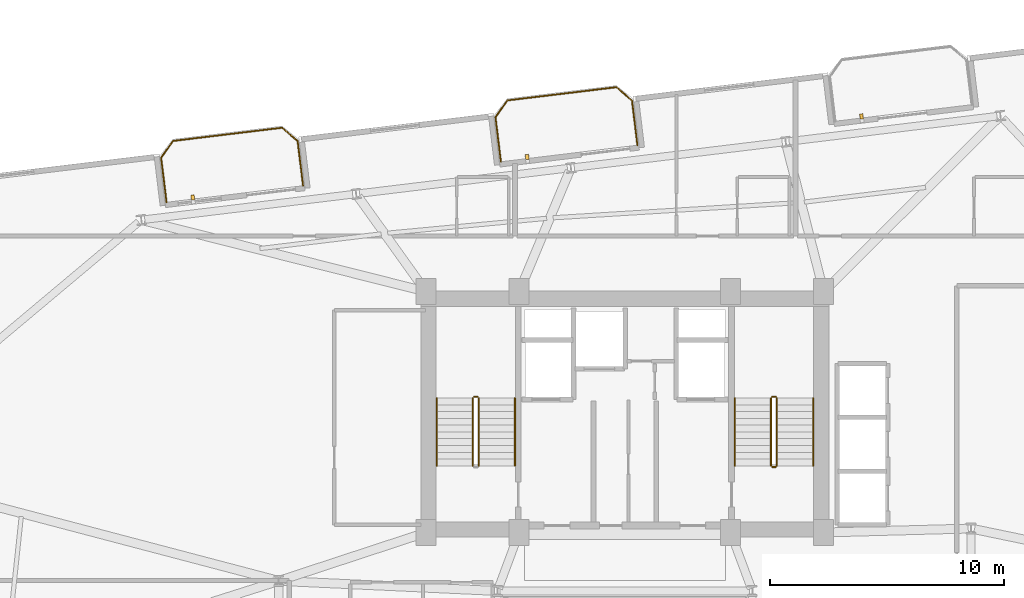
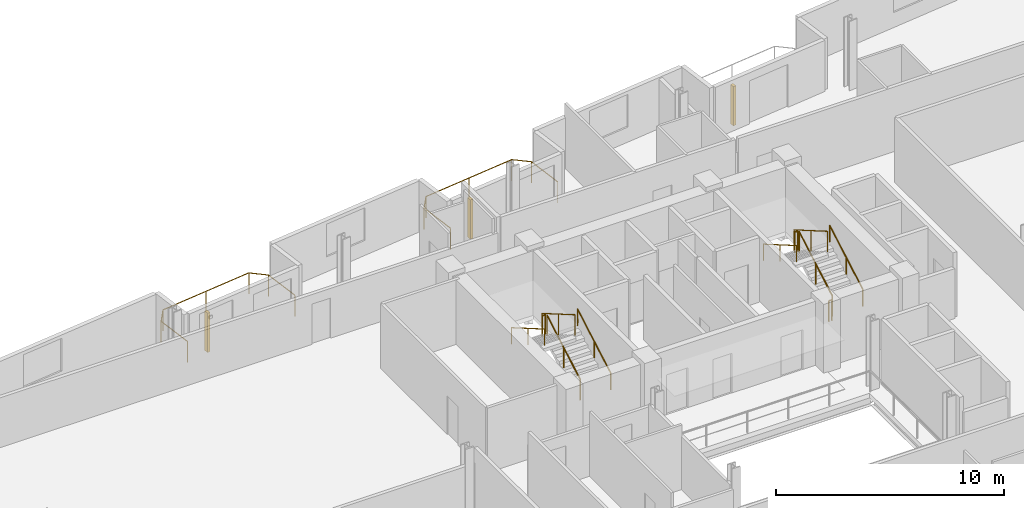
# One storey, part 22 of 23: 13 railings, 3 shading devices.
"""IFC4 building model written with IfcOpenShell, lengths in metres."""

from ifc_helpers import new_model, si_unit, direction, frame, origin, origin_2d, place, context, subcontext, project, spatial, rectangle, circle, extrude, source, transform, mapped, material, type_object, element, save


model = new_model("IFC4")

# Units and contexts
model_context = context("Model", 3, precision=1e-05, world=origin(), true_north=direction((0.0, 1.0)))
body_context = subcontext(model_context, "Body", "Model", "MODEL_VIEW")
ifc_project = project(units=[si_unit("LENGTHUNIT", "METRE"), si_unit("AREAUNIT", "SQUARE_METRE"), si_unit("VOLUMEUNIT", "CUBIC_METRE"), si_unit("PLANEANGLEUNIT", "RADIAN"), si_unit("MASSUNIT", "GRAM", prefix="KILO")], contexts=[model_context])

# Site, building, storey
site_placement = place(None, origin())
site = spatial("IfcSite", under=ifc_project, at=site_placement, CompositionType="ELEMENT")
building_placement = place(site_placement, origin())
building = spatial("IfcBuilding", under=site, at=building_placement, Name="Varnelok Gate Tower", CompositionType="ELEMENT")
storey_placement = place(building_placement, frame((0.0, 0.0, 170.89990234375)))
storey = spatial("IfcBuildingStorey", under=building, at=storey_placement, Name="L43", CompositionType="ELEMENT", Elevation=170.89990234375)

# Railings
ifc_material_1 = material(Name="Low-E Laminated Double Glazing IGU", Category="glass")
railing_type_1 = type_object("IfcRailingType", Name="RL-BALC-1150", PredefinedType="BALUSTRADE", material=ifc_material_1)
railing_1_placement = place(storey_placement, frame((19.603271484375, 42.869384765625, 0.0)))
element("IfcRailing", 1, at=railing_1_placement, inside=storey, type_object=railing_type_1, Name="L43 North Terrace Balustrade 4", PredefinedType="BALUSTRADE", context=body_context, shape_type="SweptSolid", body=[
    extrude(circle(Radius=0.02392578125, at=origin_2d()), frame((0.0, 0.0, 1.1259765625), z_axis=(-0.120418709125, 0.992723191274, 0.0), x_axis=(-0.992723191274, -0.120418709125, 0.0)), (0.0, 0.0, 1.0), 1.919921875),
    extrude(circle(Radius=0.02392578125, at=origin_2d()), frame((-0.231201171875, 1.906005859375, 1.1259765625), z_axis=(0.57815621837, 0.815926091726, 0.0), x_axis=(-0.815926091726, 0.57815621837, 0.0)), (0.0, 0.0, 1.0), 0.8779296875),
    extrude(circle(Radius=0.02392578125, at=origin_2d()), frame((0.2763671875, 2.622314453125, 1.1259765625), z_axis=(0.992730585037, 0.120357739811, 0.0), x_axis=(-0.120357739811, 0.992730585037, 0.0)), (0.0, 0.0, 1.0), 4.699951171875),
    extrude(circle(Radius=0.02392578125, at=origin_2d()), frame((4.942138671875, 3.18798828125, 1.1259765625), z_axis=(0.756285086452, -0.654242208979, 0.0), x_axis=(0.654242208979, 0.756285086452, 0.0)), (0.0, 0.0, 1.0), 0.878173828125),
    extrude(circle(Radius=0.02392578125, at=origin_2d()), frame((5.606201171875, 2.613525390625, 1.1259765625), z_axis=(0.120293392036, -0.992738384386, 0.0), x_axis=(0.992738384386, 0.120293392036, 0.0)), (0.0, 0.0, 1.0), 1.919921875),
    extrude(circle(Radius=0.02099609375, at=origin_2d()), origin(), (0.0, 0.0, 1.0), 1.101806640625),
    extrude(circle(Radius=0.02099609375, at=origin_2d()), frame((-0.231201171875, 1.906005859375, 0.0)), (0.0, 0.0, 1.0), 1.101806640625),
    extrude(circle(Radius=0.02099609375, at=origin_2d()), frame((0.2763671875, 2.622314453125, 0.0)), (0.0, 0.0, 1.0), 1.101806640625),
    extrude(circle(Radius=0.02099609375, at=origin_2d()), frame((2.609375, 2.9052734375, 0.0)), (0.0, 0.0, 1.0), 1.101806640625),
    extrude(circle(Radius=0.02099609375, at=origin_2d()), frame((4.942138671875, 3.18798828125, 0.0)), (0.0, 0.0, 1.0), 1.101806640625),
    extrude(circle(Radius=0.02099609375, at=origin_2d()), frame((5.606201171875, 2.613525390625, 0.0)), (0.0, 0.0, 1.0), 1.101806640625),
    extrude(circle(Radius=0.02099609375, at=origin_2d()), frame((5.837158203125, 0.70751953125, 0.0)), (0.0, 0.0, 1.0), 1.101806640625),
])
railing_2_placement = place(storey_placement, frame((33.8984375, 44.602294921875, 0.0)))
element("IfcRailing", 2, at=railing_2_placement, inside=storey, type_object=railing_type_1, Name="L43 North Terrace Balustrade 5", PredefinedType="BALUSTRADE", context=body_context, shape_type="SweptSolid", body=[
    extrude(circle(Radius=0.02392578125, at=origin_2d()), frame((0.0, 0.0, 1.1259765625), z_axis=(-0.120293392036, 0.992738384386, 0.0), x_axis=(-0.992738384386, -0.120293392036, 0.0)), (0.0, 0.0, 1.0), 1.919921875),
    extrude(circle(Radius=0.02392578125, at=origin_2d()), frame((-0.23095703125, 1.906005859375, 1.1259765625), z_axis=(0.57815621837, 0.815926091726, 0.0), x_axis=(-0.815926091726, 0.57815621837, 0.0)), (0.0, 0.0, 1.0), 0.8779296875),
    extrude(circle(Radius=0.02392578125, at=origin_2d()), frame((0.276611328125, 2.622314453125, 1.1259765625), z_axis=(0.992730585037, 0.120357739811, 0.0), x_axis=(-0.120357739811, 0.992730585037, 0.0)), (0.0, 0.0, 1.0), 4.699951171875),
    extrude(circle(Radius=0.02392578125, at=origin_2d()), frame((4.9423828125, 3.18798828125, 1.1259765625), z_axis=(0.756303655992, -0.654220742513, 0.0), x_axis=(0.654220742513, 0.756303655992, 0.0)), (0.0, 0.0, 1.0), 0.877685546875),
    extrude(circle(Radius=0.02392578125, at=origin_2d()), frame((5.606201171875, 2.61376953125, 1.1259765625), z_axis=(0.12040351024, -0.992725034802, 0.0), x_axis=(0.992725034802, 0.12040351024, 0.0)), (0.0, 0.0, 1.0), 1.920166015625),
    extrude(circle(Radius=0.02099609375, at=origin_2d()), origin(), (0.0, 0.0, 1.0), 1.101806640625),
    extrude(circle(Radius=0.02099609375, at=origin_2d()), frame((-0.23095703125, 1.906005859375, 0.0)), (0.0, 0.0, 1.0), 1.101806640625),
    extrude(circle(Radius=0.02099609375, at=origin_2d()), frame((0.276611328125, 2.622314453125, 0.0)), (0.0, 0.0, 1.0), 1.101806640625),
    extrude(circle(Radius=0.02099609375, at=origin_2d()), frame((2.609375, 2.9052734375, 0.0)), (0.0, 0.0, 1.0), 1.101806640625),
    extrude(circle(Radius=0.02099609375, at=origin_2d()), frame((4.9423828125, 3.18798828125, 0.0)), (0.0, 0.0, 1.0), 1.101806640625),
    extrude(circle(Radius=0.02099609375, at=origin_2d()), frame((5.606201171875, 2.61376953125, 0.0)), (0.0, 0.0, 1.0), 1.101806640625),
    extrude(circle(Radius=0.02099609375, at=origin_2d()), frame((5.83740234375, 0.70751953125, 0.0)), (0.0, 0.0, 1.0), 1.101806640625),
])
ifc_material_2 = material(Name="Brushed Stainless Steel AISI 316", Category="steel")
railing_type_2 = type_object("IfcRailingType", Name="RL-HANDRAIL-900", PredefinedType="HANDRAIL", material=ifc_material_2)
railing_3_placement = place(storey_placement, frame((34.5, 31.60009765625, 0.168212890625)))
element("IfcRailing", 3, at=railing_3_placement, inside=storey, type_object=railing_type_2, Name="L43 ST-1 stair handrail 1", PredefinedType="HANDRAIL", context=body_context, shape_type="SweptSolid", body=[
    extrude(circle(Radius=0.02392578125, at=origin_2d()), frame((0.0, 0.0, 0.8759765625), z_axis=(0.0, 0.865038774852, 0.501705010941), x_axis=(-1.0, 0.0, 0.0)), (0.0, 0.0, 1.0), 3.352294921875),
    extrude(circle(Radius=0.02099609375, at=origin_2d()), origin(), (0.0, 0.0, 1.0), 0.851806640625),
    extrude(circle(Radius=0.02099609375, at=origin_2d()), frame((0.0, 1.449951171875, 0.8408203125)), (0.0, 0.0, 1.0), 0.851806640625),
    extrude(circle(Radius=0.02099609375, at=origin_2d()), frame((0.0, 2.89990234375, 1.681884765625)), (0.0, 0.0, 1.0), 0.851806640625),
])
railing_4_placement = place(storey_placement, frame((31.14990234375, 34.5, 2.018310546875)))
element("IfcRailing", 4, at=railing_4_placement, inside=storey, type_object=railing_type_2, Name="L43 ST-1 stair handrail 2", PredefinedType="HANDRAIL", context=body_context, shape_type="SweptSolid", body=[
    extrude(circle(Radius=0.02392578125, at=origin_2d()), frame((0.0, 0.0, 0.8759765625), z_axis=(0.0, -0.865038774852, 0.501705010941), x_axis=(1.0, 0.0, 0.0)), (0.0, 0.0, 1.0), 3.352294921875),
    extrude(circle(Radius=0.02099609375, at=origin_2d()), origin(), (0.0, 0.0, 1.0), 0.851806640625),
    extrude(circle(Radius=0.02099609375, at=origin_2d()), frame((0.0, -1.449951171875, 0.8408203125)), (0.0, 0.0, 1.0), 0.851806640625),
    extrude(circle(Radius=0.02099609375, at=origin_2d()), frame((0.0, -2.89990234375, 1.681884765625)), (0.0, 0.0, 1.0), 0.851806640625),
])
railing_5_placement = place(storey_placement, frame((47.25, 31.60009765625, 0.168212890625)))
element("IfcRailing", 5, at=railing_5_placement, inside=storey, type_object=railing_type_2, Name="L43 ST-2 stair handrail 1", PredefinedType="HANDRAIL", context=body_context, shape_type="SweptSolid", body=[
    extrude(circle(Radius=0.02392578125, at=origin_2d()), frame((0.0, 0.0, 0.8759765625), z_axis=(0.0, 0.865038774852, 0.501705010941), x_axis=(-1.0, 0.0, 0.0)), (0.0, 0.0, 1.0), 3.352294921875),
    extrude(circle(Radius=0.02099609375, at=origin_2d()), origin(), (0.0, 0.0, 1.0), 0.851806640625),
    extrude(circle(Radius=0.02099609375, at=origin_2d()), frame((0.0, 1.449951171875, 0.8408203125)), (0.0, 0.0, 1.0), 0.851806640625),
    extrude(circle(Radius=0.02099609375, at=origin_2d()), frame((0.0, 2.89990234375, 1.681884765625)), (0.0, 0.0, 1.0), 0.851806640625),
])
railing_6_placement = place(storey_placement, frame((43.89990234375, 34.5, 2.018310546875)))
element("IfcRailing", 6, at=railing_6_placement, inside=storey, type_object=railing_type_2, Name="L43 ST-2 stair handrail 2", PredefinedType="HANDRAIL", context=body_context, shape_type="SweptSolid", body=[
    extrude(circle(Radius=0.02392578125, at=origin_2d()), frame((0.0, 0.0, 0.8759765625), z_axis=(0.0, -0.865038774852, 0.501705010941), x_axis=(1.0, 0.0, 0.0)), (0.0, 0.0, 1.0), 3.352294921875),
    extrude(circle(Radius=0.02099609375, at=origin_2d()), origin(), (0.0, 0.0, 1.0), 0.851806640625),
    extrude(circle(Radius=0.02099609375, at=origin_2d()), frame((0.0, -1.449951171875, 0.8408203125)), (0.0, 0.0, 1.0), 0.851806640625),
    extrude(circle(Radius=0.02099609375, at=origin_2d()), frame((0.0, -2.89990234375, 1.681884765625)), (0.0, 0.0, 1.0), 0.851806640625),
])
ifc_material_3 = material(Name="Galvanized Steel Grade S350GD", Category="steel")
railing_type_3 = type_object("IfcRailingType", Name="RL-STAIR-GUARD1120", PredefinedType="GUARDRAIL", material=ifc_material_3)
railing_7_placement = place(storey_placement, frame((32.949951171875, 31.60009765625, 0.168212890625)))
element("IfcRailing", 7, at=railing_7_placement, inside=storey, type_object=railing_type_3, Name="L43 ST-1 stair guard 1", PredefinedType="GUARDRAIL", context=body_context, shape_type="SweptSolid", body=[
    extrude(circle(Radius=0.02392578125, at=origin_2d()), frame((0.0, 0.0, 1.09619140625), z_axis=(0.0, 0.865038774852, 0.501705010941), x_axis=(-1.0, 0.0, 0.0)), (0.0, 0.0, 1.0), 3.352294921875),
    extrude(circle(Radius=0.02099609375, at=origin_2d()), origin(), (0.0, 0.0, 1.0), 1.072021484375),
    extrude(circle(Radius=0.02099609375, at=origin_2d()), frame((0.0, 1.449951171875, 0.8408203125)), (0.0, 0.0, 1.0), 1.072021484375),
    extrude(circle(Radius=0.02099609375, at=origin_2d()), frame((0.0, 2.89990234375, 1.681884765625)), (0.0, 0.0, 1.0), 1.072021484375),
])
railing_8_placement = place(storey_placement, frame((32.89990234375, 34.550048828125, 1.85009765625)))
element("IfcRailing", 8, at=railing_8_placement, inside=storey, type_object=railing_type_3, Name="L43 ST-1 stair guard 2", PredefinedType="GUARDRAIL", context=body_context, shape_type="SweptSolid", body=[
    extrude(circle(Radius=0.02392578125, at=origin_2d()), frame((0.0, 0.0, 1.09619140625), z_axis=(-1.0, 0.0, 0.0), x_axis=(0.0, -1.0, 0.0)), (0.0, 0.0, 1.0), 0.14990234375),
    extrude(circle(Radius=0.02099609375, at=origin_2d()), origin(), (0.0, 0.0, 1.0), 1.072021484375),
    extrude(circle(Radius=0.02099609375, at=origin_2d()), frame((-0.14990234375, 0.0, 0.0)), (0.0, 0.0, 1.0), 1.072021484375),
])
railing_9_placement = place(storey_placement, frame((32.699951171875, 34.5, 2.018310546875)))
element("IfcRailing", 9, at=railing_9_placement, inside=storey, type_object=railing_type_3, Name="L43 ST-1 stair guard 3", PredefinedType="GUARDRAIL", context=body_context, shape_type="SweptSolid", body=[
    extrude(circle(Radius=0.02392578125, at=origin_2d()), frame((0.0, 0.0, 1.09619140625), z_axis=(0.0, -0.865038774852, 0.501705010941), x_axis=(1.0, 0.0, 0.0)), (0.0, 0.0, 1.0), 3.352294921875),
    extrude(circle(Radius=0.02099609375, at=origin_2d()), origin(), (0.0, 0.0, 1.0), 1.072021484375),
    extrude(circle(Radius=0.02099609375, at=origin_2d()), frame((0.0, -1.449951171875, 0.8408203125)), (0.0, 0.0, 1.0), 1.072021484375),
    extrude(circle(Radius=0.02099609375, at=origin_2d()), frame((0.0, -2.89990234375, 1.681884765625)), (0.0, 0.0, 1.0), 1.072021484375),
])
railing_10_placement = place(storey_placement, frame((45.699951171875, 31.60009765625, 0.168212890625)))
element("IfcRailing", 10, at=railing_10_placement, inside=storey, type_object=railing_type_3, Name="L43 ST-2 stair guard 1", PredefinedType="GUARDRAIL", context=body_context, shape_type="SweptSolid", body=[
    extrude(circle(Radius=0.02392578125, at=origin_2d()), frame((0.0, 0.0, 1.09619140625), z_axis=(0.0, 0.865038774852, 0.501705010941), x_axis=(-1.0, 0.0, 0.0)), (0.0, 0.0, 1.0), 3.352294921875),
    extrude(circle(Radius=0.02099609375, at=origin_2d()), origin(), (0.0, 0.0, 1.0), 1.072021484375),
    extrude(circle(Radius=0.02099609375, at=origin_2d()), frame((0.0, 1.449951171875, 0.8408203125)), (0.0, 0.0, 1.0), 1.072021484375),
    extrude(circle(Radius=0.02099609375, at=origin_2d()), frame((0.0, 2.89990234375, 1.681884765625)), (0.0, 0.0, 1.0), 1.072021484375),
])
railing_11_placement = place(storey_placement, frame((45.64990234375, 34.550048828125, 1.85009765625)))
element("IfcRailing", 11, at=railing_11_placement, inside=storey, type_object=railing_type_3, Name="L43 ST-2 stair guard 2", PredefinedType="GUARDRAIL", context=body_context, shape_type="SweptSolid", body=[
    extrude(circle(Radius=0.02392578125, at=origin_2d()), frame((0.0, 0.0, 1.09619140625), z_axis=(-1.0, 0.0, 0.0), x_axis=(0.0, -1.0, 0.0)), (0.0, 0.0, 1.0), 0.14990234375),
    extrude(circle(Radius=0.02099609375, at=origin_2d()), origin(), (0.0, 0.0, 1.0), 1.072021484375),
    extrude(circle(Radius=0.02099609375, at=origin_2d()), frame((-0.14990234375, 0.0, 0.0)), (0.0, 0.0, 1.0), 1.072021484375),
])
railing_12_placement = place(storey_placement, frame((45.449951171875, 34.5, 2.018310546875)))
element("IfcRailing", 12, at=railing_12_placement, inside=storey, type_object=railing_type_3, Name="L43 ST-2 stair guard 3", PredefinedType="GUARDRAIL", context=body_context, shape_type="SweptSolid", body=[
    extrude(circle(Radius=0.02392578125, at=origin_2d()), frame((0.0, 0.0, 1.09619140625), z_axis=(0.0, -0.865038774852, 0.501705010941), x_axis=(1.0, 0.0, 0.0)), (0.0, 0.0, 1.0), 3.352294921875),
    extrude(circle(Radius=0.02099609375, at=origin_2d()), origin(), (0.0, 0.0, 1.0), 1.072021484375),
    extrude(circle(Radius=0.02099609375, at=origin_2d()), frame((0.0, -1.449951171875, 0.8408203125)), (0.0, 0.0, 1.0), 1.072021484375),
    extrude(circle(Radius=0.02099609375, at=origin_2d()), frame((0.0, -2.89990234375, 1.681884765625)), (0.0, 0.0, 1.0), 1.072021484375),
])
railing_13_placement = place(storey_placement, frame((45.64990234375, 31.550048828125, 0.0)))
element("IfcRailing", 13, at=railing_13_placement, inside=storey, type_object=railing_type_3, Name="L43 ST-2 stair guard 4", PredefinedType="GUARDRAIL", context=body_context, shape_type="SweptSolid", body=[
    extrude(circle(Radius=0.02392578125, at=origin_2d()), frame((0.0, 0.0, 1.09619140625), z_axis=(-1.0, 0.0, 0.0), x_axis=(0.0, -1.0, 0.0)), (0.0, 0.0, 1.0), 0.14990234375),
    extrude(circle(Radius=0.02099609375, at=origin_2d()), origin(), (0.0, 0.0, 1.0), 1.072021484375),
    extrude(circle(Radius=0.02099609375, at=origin_2d()), frame((-0.14990234375, 0.0, 0.0)), (0.0, 0.0, 1.0), 1.072021484375),
])

# Shading devices
ifc_material_4 = material(Name="Glazed Architectural Terracotta Ceramic", Category="masonry")
shading_device_type = type_object("IfcShadingDeviceType", Name="SHD-TERRA-FIN", PredefinedType="USERDEFINED", material=ifc_material_4)
shared_shape = source(origin(), body_context, "Body", "SweptSolid", [
    extrude(rectangle(XDim=0.139892578125, YDim=0.219970703125, at=origin_2d()), origin(), (0.0, 0.0, 1.0), 2.10009765625),
])
for number, where, z_axis, x_axis, name in (
    (14, (20.7265625, 43.075927734375, 0.10009765625), (0.0, 0.0, 1.0), (0.992732158755, 0.12034475881, 0.0), "L43 Terracotta Ceramic Baguette Sunscreen 4.1"),
    (15, (35.021728515625, 44.80908203125, 0.10009765625), (0.0, 0.0, 1.0), (0.992732158755, 0.12034475881, 0.0), "L43 Terracotta Ceramic Baguette Sunscreen 5.1"),
    (16, (49.317138671875, 46.5419921875, 0.10009765625), (0.0, 0.0, 1.0), (0.992732158755, 0.12034475881, 0.0), "L43 Terracotta Ceramic Baguette Sunscreen 6.1"),
):
    element("IfcShadingDevice", number, at=place(storey_placement, frame(where, z_axis=z_axis, x_axis=x_axis)), inside=storey, type_object=shading_device_type, Name=name, ObjectType="BAGUETTE", PredefinedType="USERDEFINED", context=body_context, shape_type="MappedRepresentation", body=[
        mapped(shared_shape, transform((0.0, 0.0, 0.0), scale=1.0)),
    ])

save(model, "model.ifc")
